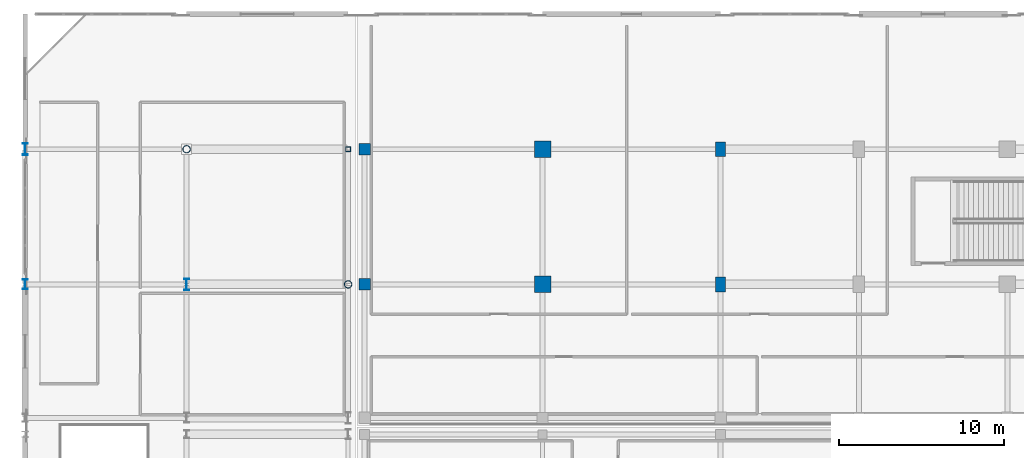
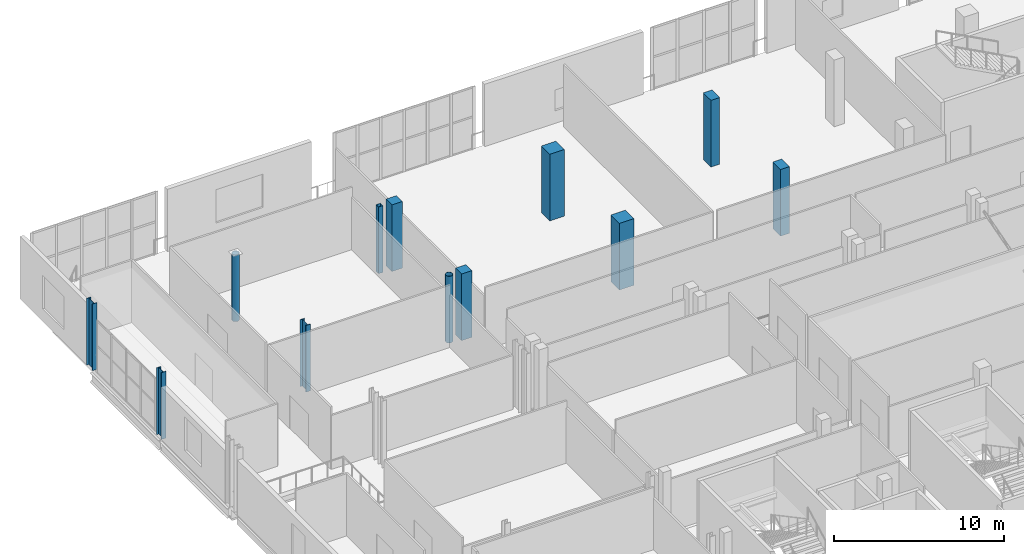
# One storey, part 10 of 142: 12 columns.
"""IFC4 building model written with IfcOpenShell, lengths in metres."""

from ifc_helpers import new_model, si_unit, direction, frame, origin, origin_2d, place, context, subcontext, project, spatial, rectangle, hollow_rectangle, hollow_circle, i_section, extrude, material, material_profile, profile_set, type_object, element, save


model = new_model("IFC4")

# Units and contexts
model_context = context("Model", 3, precision=1e-05, world=origin(), true_north=direction((0.0, 1.0)))
body_context = subcontext(model_context, "Body", "Model", "MODEL_VIEW")
ifc_project = project(units=[si_unit("LENGTHUNIT", "METRE"), si_unit("AREAUNIT", "SQUARE_METRE"), si_unit("VOLUMEUNIT", "CUBIC_METRE"), si_unit("PLANEANGLEUNIT", "RADIAN"), si_unit("MASSUNIT", "GRAM", prefix="KILO")], contexts=[model_context])

# Site, building, storey
site_placement = place(None, origin())
site = spatial("IfcSite", under=ifc_project, at=site_placement, CompositionType="ELEMENT")
building_placement = place(site_placement, origin())
building = spatial("IfcBuilding", under=site, at=building_placement, Name="Koshinbarg Plaza Stadium", CompositionType="ELEMENT")
storey_placement = place(building_placement, frame((0.0, 0.0, 10.199951171875)))
storey = spatial("IfcBuildingStorey", under=building, at=storey_placement, Name="L02", CompositionType="ELEMENT", Elevation=10.199951171875)

# Columns
ifc_material_1 = material(Name="Concrete C40/50", Category="concrete")
ifc_material_profile_1 = material_profile(ifc_material_1, rectangle(XDim=0.699951171875, YDim=0.699951171875, at=origin_2d()), Name="RC 700x700")
ifc_profile_set_1 = profile_set([ifc_material_profile_1], Name="Concrete C40/50")
column_type_1 = type_object("IfcColumnType", Name="COL-RC-06", PredefinedType="COLUMN", material=ifc_profile_set_1)
for number, where, z_axis, x_axis, name in (
    (1, (24.60009765625, 135.60009765625, 0.0), (0.0, 0.0, 1.0), (1.0, 0.0, 0.0), "L02 column 5/T"),
    (2, (24.60009765625, 143.800048828125, 0.0), (0.0, 0.0, 1.0), (1.0, 0.0, 0.0), "L02 column 5/U"),
):
    element("IfcColumn", number, at=place(storey_placement, frame(where, z_axis=z_axis, x_axis=x_axis)), inside=storey, type_object=column_type_1, Name=name, PredefinedType="COLUMN", context=body_context, shape_type="SweptSolid", body=[
        extrude(rectangle(XDim=0.699951171875, YDim=0.699951171875, at=origin_2d()), origin(), (0.0, 0.0, 1.0), 4.800048828125),
    ])
ifc_material_profile_2 = material_profile(ifc_material_1, rectangle(XDim=1.0, YDim=1.0, at=origin_2d()), Name="RC 1000x1000")
ifc_profile_set_2 = profile_set([ifc_material_profile_2], Name="Concrete C40/50")
column_type_2 = type_object("IfcColumnType", Name="COL-RC-11", PredefinedType="COLUMN", material=ifc_profile_set_2)
for number, where, z_axis, x_axis, name in (
    (3, (35.39990234375, 135.60009765625, 0.0), (0.0, 0.0, 1.0), (1.0, 0.0, 0.0), "L02 column 6/T"),
    (4, (35.39990234375, 143.800048828125, 0.0), (0.0, 0.0, 1.0), (1.0, 0.0, 0.0), "L02 column 6/U"),
):
    element("IfcColumn", number, at=place(storey_placement, frame(where, z_axis=z_axis, x_axis=x_axis)), inside=storey, type_object=column_type_2, Name=name, PredefinedType="COLUMN", context=body_context, shape_type="SweptSolid", body=[
        extrude(rectangle(XDim=1.0, YDim=1.0, at=origin_2d()), origin(), (0.0, 0.0, 1.0), 4.800048828125),
    ])
ifc_material_profile_3 = material_profile(ifc_material_1, rectangle(XDim=0.60009765625, YDim=0.89990234375, at=origin_2d()), Name="RC 600x900")
ifc_profile_set_3 = profile_set([ifc_material_profile_3], Name="Concrete C40/50")
column_type_3 = type_object("IfcColumnType", Name="COL-RC-12", PredefinedType="COLUMN", material=ifc_profile_set_3)
for number, where, z_axis, x_axis, name in (
    (5, (46.199951171875, 135.60009765625, 0.0), (0.0, 0.0, 1.0), (1.0, 0.0, 0.0), "L02 column 7/T"),
    (6, (46.199951171875, 143.800048828125, 0.0), (0.0, 0.0, 1.0), (1.0, 0.0, 0.0), "L02 column 7/U"),
):
    element("IfcColumn", number, at=place(storey_placement, frame(where, z_axis=z_axis, x_axis=x_axis)), inside=storey, type_object=column_type_3, Name=name, PredefinedType="COLUMN", context=body_context, shape_type="SweptSolid", body=[
        extrude(rectangle(XDim=0.60009765625, YDim=0.89990234375, at=origin_2d()), origin(), (0.0, 0.0, 1.0), 4.800048828125),
    ])
ifc_material_2 = material(Name="Steel S355", Category="steel")
ifc_material_profile_4 = material_profile(ifc_material_2, i_section(OverallWidth=0.300048828125, OverallDepth=0.60009765625, WebThickness=0.015380859375, FlangeThickness=0.030029296875, at=origin_2d()), Name="HEB 600")
ifc_profile_set_4 = profile_set([ifc_material_profile_4], Name="Steel S355")
column_type_4 = type_object("IfcColumnType", Name="COL-STL-03", PredefinedType="COLUMN", material=ifc_profile_set_4)
column_1_placement = place(storey_placement, frame((4.0, 135.60009765625, 0.0), z_axis=(0.0, 0.0, 1.0), x_axis=(1.0, 0.0, 0.0)))
element("IfcColumn", 7, at=column_1_placement, inside=storey, type_object=column_type_4, Name="L02 column 2/T", PredefinedType="COLUMN", context=body_context, shape_type="SweptSolid", body=[
    extrude(i_section(OverallWidth=0.300048828125, OverallDepth=0.60009765625, WebThickness=0.015380859375, FlangeThickness=0.030029296875, at=origin_2d()), origin(), (0.0, 0.0, 1.0), 4.800048828125),
])
ifc_material_profile_5 = material_profile(ifc_material_2, i_section(OverallWidth=0.300048828125, OverallDepth=0.699951171875, WebThickness=0.01708984375, FlangeThickness=0.031982421875, at=origin_2d()), Name="HEB 700")
ifc_profile_set_5 = profile_set([ifc_material_profile_5], Name="Steel S355")
column_type_5 = type_object("IfcColumnType", Name="COL-STL-04", PredefinedType="COLUMN", material=ifc_profile_set_5)
for number, where, z_axis, x_axis, name in (
    (8, (4.0, 143.800048828125, 0.0), (0.0, 0.0, 1.0), (1.0, 0.0, 0.0), "L02 column 2/U"),
    (9, (13.800048828125, 135.60009765625, 0.0), (0.0, 0.0, 1.0), (1.0, 0.0, 0.0), "L02 column 3/T"),
):
    element("IfcColumn", number, at=place(storey_placement, frame(where, z_axis=z_axis, x_axis=x_axis)), inside=storey, type_object=column_type_5, Name=name, PredefinedType="COLUMN", context=body_context, shape_type="SweptSolid", body=[
        extrude(i_section(OverallWidth=0.300048828125, OverallDepth=0.699951171875, WebThickness=0.01708984375, FlangeThickness=0.031982421875, at=origin_2d()), origin(), (0.0, 0.0, 1.0), 4.800048828125),
    ])
ifc_material_profile_6 = material_profile(ifc_material_2, hollow_circle(Radius=0.228515625, WallThickness=0.02001953125, at=origin_2d()), Name="CHS 457x20")
ifc_profile_set_6 = profile_set([ifc_material_profile_6], Name="Steel S355")
column_type_6 = type_object("IfcColumnType", Name="COL-STL-05", PredefinedType="COLUMN", material=ifc_profile_set_6)
for number, where, z_axis, x_axis, name in (
    (10, (13.800048828125, 143.800048828125, 0.0), (0.0, 0.0, 1.0), (1.0, 0.0, 0.0), "L02 column 3/U"),
    (11, (23.60009765625, 135.60009765625, 0.0), (0.0, 0.0, 1.0), (1.0, 0.0, 0.0), "L02 column 4/T"),
):
    element("IfcColumn", number, at=place(storey_placement, frame(where, z_axis=z_axis, x_axis=x_axis)), inside=storey, type_object=column_type_6, Name=name, PredefinedType="COLUMN", context=body_context, shape_type="SweptSolid", body=[
        extrude(hollow_circle(Radius=0.228515625, WallThickness=0.02001953125, at=origin_2d()), origin(), (0.0, 0.0, 1.0), 4.800048828125),
    ])
ifc_material_profile_7 = material_profile(ifc_material_2, hollow_rectangle(XDim=0.300048828125, YDim=0.300048828125, WallThickness=0.01611328125, at=origin_2d()), Name="SHS 300x300x16")
ifc_profile_set_7 = profile_set([ifc_material_profile_7], Name="Steel S355")
column_type_7 = type_object("IfcColumnType", Name="COL-STL-06", PredefinedType="COLUMN", material=ifc_profile_set_7)
column_2_placement = place(storey_placement, frame((23.60009765625, 143.800048828125, 0.0), z_axis=(0.0, 0.0, 1.0), x_axis=(1.0, 0.0, 0.0)))
element("IfcColumn", 12, at=column_2_placement, inside=storey, type_object=column_type_7, Name="L02 column 4/U", PredefinedType="COLUMN", context=body_context, shape_type="SweptSolid", body=[
    extrude(hollow_rectangle(XDim=0.300048828125, YDim=0.300048828125, WallThickness=0.01611328125, at=origin_2d()), origin(), (0.0, 0.0, 1.0), 4.800048828125),
])

save(model, "model.ifc")
